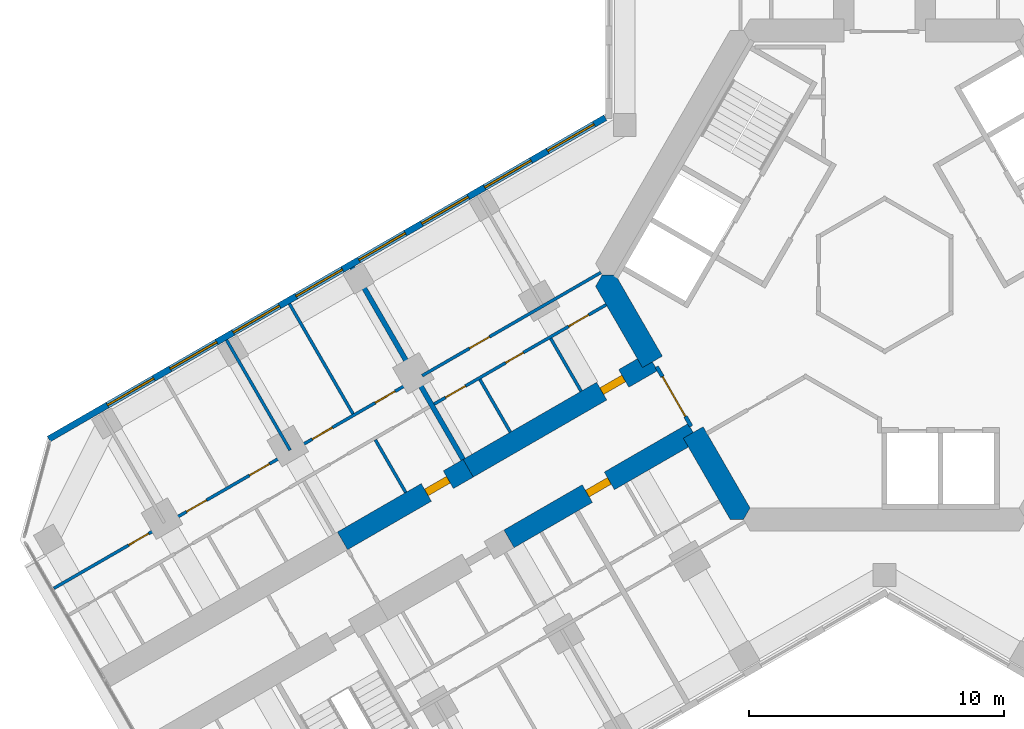
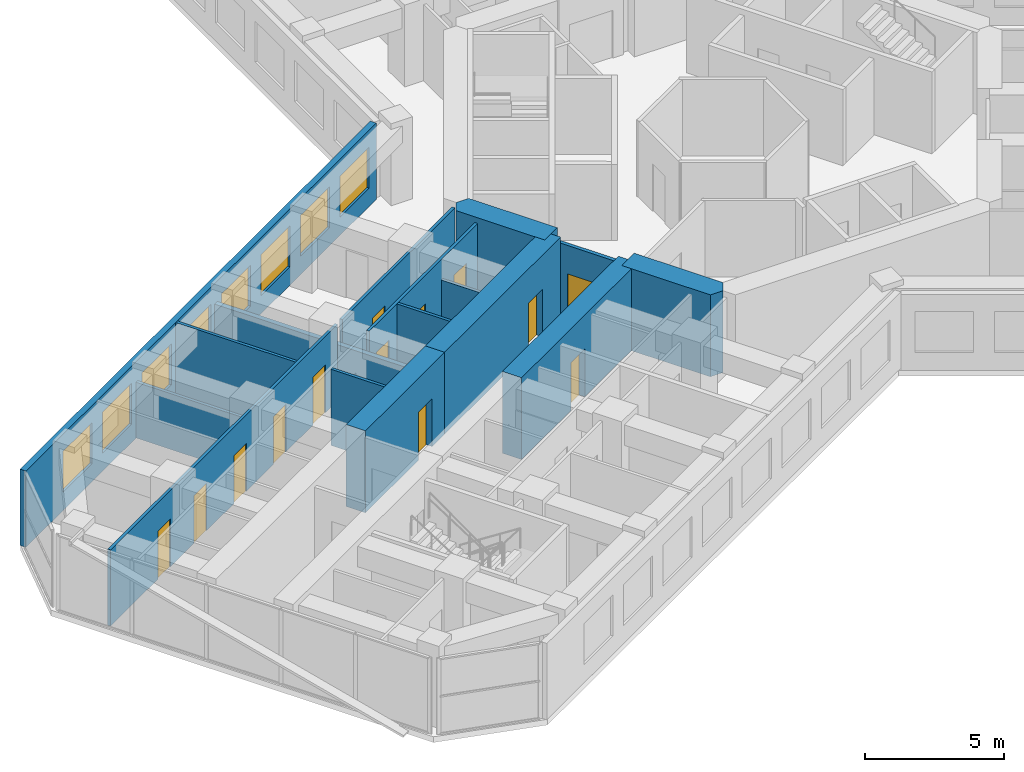
# One storey, part 12 of 19: 16 walls, 13 doors, 8 windows, 21 openings.
"""IFC4 building model written with IfcOpenShell, lengths in metres."""

from ifc_helpers import new_model, si_unit, direction, frame, frame_2d, origin, place, context, subcontext, project, spatial, polyline, rectangle, outline, extrude, material, layer, layer_set, type_object, element, fill, save


model = new_model("IFC4")

# Units and contexts
model_context = context("Model", 3, precision=1e-05, world=origin(), true_north=direction((0.0, 1.0)))
body_context = subcontext(model_context, "Body", "Model", "MODEL_VIEW")
ifc_project = project(units=[si_unit("LENGTHUNIT", "METRE"), si_unit("AREAUNIT", "SQUARE_METRE"), si_unit("VOLUMEUNIT", "CUBIC_METRE"), si_unit("PLANEANGLEUNIT", "RADIAN"), si_unit("MASSUNIT", "GRAM", prefix="KILO")], contexts=[model_context])

# Site, building, storey
site_placement = place(None, origin())
site = spatial("IfcSite", under=ifc_project, at=site_placement, CompositionType="ELEMENT")
building_placement = place(site_placement, origin())
building = spatial("IfcBuilding", under=site, at=building_placement, Name="Kosmar Iwan School Tower", CompositionType="ELEMENT")
storey_placement = place(building_placement, frame((0.0, 0.0, 141.800048828125)))
storey = spatial("IfcBuildingStorey", under=building, at=storey_placement, Name="L35", CompositionType="ELEMENT", Elevation=141.800048828125)

# Walls
ifc_material_1 = material(Name="Concrete C50/60", Category="concrete")
ifc_layer_1 = layer(ifc_material_1, 0.89990234375)
ifc_layer_set_1 = layer_set([ifc_layer_1], Name="Core wall 900")
wall_type_1 = type_object("IfcWallType", Name="Core wall 900", PredefinedType="SHEAR", material=ifc_layer_set_1)
wall_1_placement = place(storey_placement, origin())
element("IfcWall", 1, at=wall_1_placement, inside=storey, type_object=wall_type_1, Name="Core wall F210a", PredefinedType="SHEAR", context=body_context, shape_type="SweptSolid", body=[
    extrude(outline(polyline([(-9.503662109375, -3.639404296875), (-8.72412109375, -3.189453125), (-10.5654296875, 0.0), (-11.085205078125, 0.0), (-11.344970703125, -0.449951171875), (-9.503662109375, -3.639404296875)])), origin(), (0.0, 0.0, 1.0), 3.599853515625),
])
wall_2_placement = place(storey_placement, origin())
element("IfcWall", 2, at=wall_2_placement, inside=storey, type_object=wall_type_1, Name="Core wall F210b", PredefinedType="SHEAR", context=body_context, shape_type="SweptSolid", body=[
    extrude(outline(polyline([(-6.062255859375, -9.60009765625), (-5.54248046875, -9.60009765625), (-5.28271484375, -9.14990234375), (-7.1240234375, -5.960693359375), (-7.903564453125, -6.41064453125), (-6.062255859375, -9.60009765625)])), origin(), (0.0, 0.0, 1.0), 3.599853515625),
])

# Wall, opening, door
ifc_material_2 = material(Name="Concrete C50/60", Category="concrete")
ifc_layer_2 = layer(ifc_material_2, 0.800048828125)
ifc_layer_set_2 = layer_set([ifc_layer_2], Name="Corridor buttress wall 800")
wall_type_2 = type_object("IfcWallType", Name="Corridor buttress wall 800", PredefinedType="SHEAR", material=ifc_layer_set_2)
wall_3_placement = place(storey_placement, frame((-7.513916015625, -6.185546875, 0.0), z_axis=(0.0, 0.0, 1.0), x_axis=(-0.866019549707, -0.500010139422, 0.0)))
wall_3 = element("IfcWall", 3, at=wall_3_placement, inside=storey, type_object=wall_type_2, Name="Corridor wall BL", PredefinedType="SHEAR", context=body_context, shape_type="SweptSolid", body=[
    extrude(rectangle(XDim=8.349853515625, YDim=0.800048828125, at=frame_2d((4.1748046875, 0.0))), origin(), (0.0, 0.0, 1.0), 3.599853515625),
])
opening_1_placement = place(wall_3_placement, frame((3.800048828125, 0.0, 0.0)))
opening_1 = element("IfcOpeningElement", 4, at=opening_1_placement, cuts=wall_3, Name="Opening D1", PredefinedType="OPENING", context=body_context, shape_type="SweptSolid", body=[
    extrude(rectangle(XDim=1.0, YDim=2.10009765625, at=frame_2d((0.5, 1.050048828125))), frame((0.0, 0.412109375, 0.0), z_axis=(0.0, -1.0, 0.0), x_axis=(1.0, 0.0, 0.0)), (0.0, 0.0, 1.0), 0.823974609375),
])
ifc_material_3 = material(Name="Timber fire door in steel frame", Category="steel")
door_type_1 = type_object("IfcDoorType", Name="Flat entrance door 1000x2100", OperationType="SINGLE_SWING_LEFT", PredefinedType="DOOR", material=ifc_material_3)
door_1_placement = place(opening_1_placement, origin())
door_1 = element("IfcDoor", 5, at=door_1_placement, inside=storey, type_object=door_type_1, Name="Flat L35-BL1 entrance door", OperationType="SINGLE_SWING_LEFT", OverallHeight=2.10009765625, OverallWidth=1.0, PredefinedType="DOOR", context=body_context, shape_type="SweptSolid", body=[
    extrude(rectangle(XDim=1.0, YDim=2.10009765625, at=frame_2d((0.5, 1.050048828125))), frame((0.0, 0.14990234375, 0.0), z_axis=(0.0, -1.0, 0.0), x_axis=(1.0, 0.0, 0.0)), (0.0, 0.0, 1.0), 0.300048828125),
])
fill(opening_1, door_1)

wall_4_placement = place(storey_placement, frame((-9.11376953125, -3.414306640625, 0.0), z_axis=(0.0, 0.0, 1.0), x_axis=(-0.866026859388, -0.499997478812, 0.0)))
wall_4 = element("IfcWall", 6, at=wall_4_placement, inside=storey, type_object=wall_type_2, Name="Corridor wall BR", PredefinedType="SHEAR", context=body_context, shape_type="SweptSolid", body=[
    extrude(rectangle(XDim=8.35009765625, YDim=0.800048828125, at=frame_2d((4.175048828125, 0.0))), origin(), (0.0, 0.0, 1.0), 3.599853515625),
])
opening_2_placement = place(wall_4_placement, frame((1.300048828125, 0.0, 0.0)))
opening_2 = element("IfcOpeningElement", 7, at=opening_2_placement, cuts=wall_4, Name="Opening D1", PredefinedType="OPENING", context=body_context, shape_type="SweptSolid", body=[
    extrude(rectangle(XDim=1.0, YDim=2.10009765625, at=frame_2d((0.5, 1.050048828125))), frame((0.0, 0.412109375, 0.0), z_axis=(0.0, -1.0, 0.0), x_axis=(1.0, 0.0, 0.0)), (0.0, 0.0, 1.0), 0.823974609375),
])
door_2_placement = place(opening_2_placement, origin())
door_2 = element("IfcDoor", 8, at=door_2_placement, inside=storey, type_object=door_type_1, Name="Flat L35-BR1 entrance door", OperationType="SINGLE_SWING_LEFT", OverallHeight=2.10009765625, OverallWidth=1.0, PredefinedType="DOOR", context=body_context, shape_type="SweptSolid", body=[
    extrude(rectangle(XDim=1.0, YDim=2.10009765625, at=frame_2d((0.5, 1.050048828125))), frame((0.0, 0.14990234375, 0.0), z_axis=(0.0, -1.0, 0.0), x_axis=(1.0, 0.0, 0.0)), (0.0, 0.0, 1.0), 0.300048828125),
])
fill(opening_2, door_2)

wall_5_placement = place(storey_placement, frame((-16.34521484375, -7.58935546875, 0.0), z_axis=(0.0, 0.0, 1.0), x_axis=(-0.866015111908, -0.50001782563, 0.0)))
wall_5 = element("IfcWall", 9, at=wall_5_placement, inside=storey, type_object=wall_type_2, Name="Corridor wall BR bay 2", PredefinedType="SHEAR", context=body_context, shape_type="SweptSolid", body=[
    extrude(rectangle(XDim=5.699951171875, YDim=0.800048828125, at=frame_2d((2.85009765625, 0.0))), origin(), (0.0, 0.0, 1.0), 3.599853515625),
])
opening_3_placement = place(wall_5_placement, frame((0.89990234375, 0.0, 0.0)))
opening_3 = element("IfcOpeningElement", 10, at=opening_3_placement, cuts=wall_5, Name="Opening D1", PredefinedType="OPENING", context=body_context, shape_type="SweptSolid", body=[
    extrude(rectangle(XDim=1.0, YDim=2.10009765625, at=frame_2d((0.5, 1.050048828125))), frame((0.0, 0.412109375, 0.0), z_axis=(0.0, -1.0, 0.0), x_axis=(1.0, 0.0, 0.0)), (0.0, 0.0, 1.0), 0.823974609375),
])
door_3_placement = place(opening_3_placement, origin())
door_3 = element("IfcDoor", 11, at=door_3_placement, inside=storey, type_object=door_type_1, Name="Flat L35-BR2 entrance door", OperationType="SINGLE_SWING_LEFT", OverallHeight=2.10009765625, OverallWidth=1.0, PredefinedType="DOOR", context=body_context, shape_type="SweptSolid", body=[
    extrude(rectangle(XDim=1.0, YDim=2.10009765625, at=frame_2d((0.5, 1.050048828125))), frame((0.0, 0.14990234375, 0.0), z_axis=(0.0, -1.0, 0.0), x_axis=(1.0, 0.0, 0.0)), (0.0, 0.0, 1.0), 0.300048828125),
])
fill(opening_3, door_3)

ifc_material_4 = material(Name="Steel framed glazed screen", Category="steel")
ifc_layer_3 = layer(ifc_material_4, 0.14990234375)
ifc_layer_set_3 = layer_set([ifc_layer_3], Name="Corridor screen wall 150")
wall_type_3 = type_object("IfcWallType", Name="Corridor screen wall 150", PredefinedType="PARTITIONING", material=ifc_layer_set_3)
wall_6_placement = place(storey_placement, frame((-8.945556640625, -3.60595703125, 0.0), z_axis=(0.0, 0.0, 1.0), x_axis=(0.500048589285, -0.86599734893, 0.0)))
wall_6 = element("IfcWall", 12, at=wall_6_placement, inside=storey, type_object=wall_type_3, Name="Corridor screen B L35", PredefinedType="PARTITIONING", context=body_context, shape_type="SweptSolid", body=[
    extrude(rectangle(XDim=2.699951171875, YDim=0.14990234375, at=frame_2d((1.35009765625, 0.0))), origin(), (0.0, 0.0, 1.0), 3.349853515625),
])
opening_4_placement = place(wall_6_placement, frame((0.449951171875, 0.0, 0.0)))
opening_4 = element("IfcOpeningElement", 13, at=opening_4_placement, cuts=wall_6, Name="Opening D9", PredefinedType="OPENING", context=body_context, shape_type="SweptSolid", body=[
    extrude(rectangle(XDim=1.800048828125, YDim=2.10009765625, at=frame_2d((0.89990234375, 1.050048828125))), frame((0.0, 0.0869140625, 0.0), z_axis=(0.0, -1.0, 0.0), x_axis=(1.0, 0.0, 0.0)), (0.0, 0.0, 1.0), 0.173828125),
])
ifc_material_5 = material(Name="Steel framed glazed smoke door", Category="steel")
door_type_2 = type_object("IfcDoorType", Name="Corridor smoke door pair 1800x2100", OperationType="DOUBLE_DOOR_DOUBLE_SWING", PredefinedType="DOOR", material=ifc_material_5)
door_4_placement = place(opening_4_placement, origin())
door_4 = element("IfcDoor", 14, at=door_4_placement, inside=storey, type_object=door_type_2, Name="Corridor doors B L35", OperationType="DOUBLE_DOOR_DOUBLE_SWING", OverallHeight=2.10009765625, OverallWidth=1.800048828125, PredefinedType="DOOR", context=body_context, shape_type="SweptSolid", body=[
    extrude(rectangle(XDim=1.800048828125, YDim=2.10009765625, at=frame_2d((0.89990234375, 1.050048828125))), frame((0.0, 0.02490234375, 0.0), z_axis=(0.0, -1.0, 0.0), x_axis=(1.0, 0.0, 0.0)), (0.0, 0.0, 1.0), 0.050048828125),
])
fill(opening_4, door_4)

# Wall, openings, doors
ifc_material_6 = material(Name="Gypsum board on steel studs", Category="steel")
ifc_layer_4 = layer(ifc_material_6, 0.1201171875)
ifc_layer_set_4 = layer_set([ifc_layer_4], Name="Dwelling partition 120")
wall_type_4 = type_object("IfcWallType", Name="Dwelling partition 120", PredefinedType="PARTITIONING", material=ifc_layer_set_4)
wall_7_placement = place(storey_placement, frame((-10.928466796875, -1.171142578125, 0.0), z_axis=(0.0, 0.0, 1.0), x_axis=(-0.866021400173, -0.500006934395, 0.0)))
wall_7 = element("IfcWall", 15, at=wall_7_placement, inside=storey, type_object=wall_type_4, Name="Partition L35-BR1-W1", PredefinedType="PARTITIONING", context=body_context, shape_type="SweptSolid", body=[
    extrude(rectangle(XDim=7.80029296875, YDim=0.1201171875, at=frame_2d((3.900146484375, 0.0))), origin(), (0.0, 0.0, 1.0), 3.349853515625),
])
opening_5_placement = place(wall_7_placement, frame((0.800048828125, 0.0, 0.0)))
opening_5 = element("IfcOpeningElement", 16, at=opening_5_placement, cuts=wall_7, Name="Opening D2", PredefinedType="OPENING", context=body_context, shape_type="SweptSolid", body=[
    extrude(rectangle(XDim=0.89990234375, YDim=2.10009765625, at=frame_2d((0.449951171875, 1.050048828125))), frame((0.0, 0.072021484375, 0.0), z_axis=(0.0, -1.0, 0.0), x_axis=(1.0, 0.0, 0.0)), (0.0, 0.0, 1.0), 0.14404296875),
])
opening_6_placement = place(wall_7_placement, frame((3.755126953125, 0.0, 0.0)))
opening_6 = element("IfcOpeningElement", 17, at=opening_6_placement, cuts=wall_7, Name="Opening D3", PredefinedType="OPENING", context=body_context, shape_type="SweptSolid", body=[
    extrude(rectangle(XDim=0.800048828125, YDim=2.10009765625, at=frame_2d((0.39990234375, 1.050048828125))), frame((0.0, 0.072021484375, 0.0), z_axis=(0.0, -1.0, 0.0), x_axis=(1.0, 0.0, 0.0)), (0.0, 0.0, 1.0), 0.14404296875),
])
opening_7_placement = place(wall_7_placement, frame((6.380126953125, 0.0, 0.0)))
opening_7 = element("IfcOpeningElement", 18, at=opening_7_placement, cuts=wall_7, Name="Opening D2", PredefinedType="OPENING", context=body_context, shape_type="SweptSolid", body=[
    extrude(rectangle(XDim=0.89990234375, YDim=2.10009765625, at=frame_2d((0.449951171875, 1.050048828125))), frame((0.0, 0.072021484375, 0.0), z_axis=(0.0, -1.0, 0.0), x_axis=(1.0, 0.0, 0.0)), (0.0, 0.0, 1.0), 0.14404296875),
])
ifc_material_7 = material(Name="Timber door in timber frame", Category="wood")
door_type_3 = type_object("IfcDoorType", Name="Internal door 900x2100", OperationType="SINGLE_SWING_LEFT", PredefinedType="DOOR", material=ifc_material_7)
door_5_placement = place(opening_5_placement, origin())
door_5 = element("IfcDoor", 19, at=door_5_placement, inside=storey, type_object=door_type_3, Name="Entrance hall door L35-BR1-S1", OperationType="SINGLE_SWING_LEFT", OverallHeight=2.10009765625, OverallWidth=0.89990234375, PredefinedType="DOOR", context=body_context, shape_type="SweptSolid", body=[
    extrude(rectangle(XDim=0.89990234375, YDim=2.10009765625, at=frame_2d((0.449951171875, 1.050048828125))), frame((0.0, 0.02490234375, 0.0), z_axis=(0.0, -1.0, 0.0), x_axis=(1.0, 0.0, 0.0)), (0.0, 0.0, 1.0), 0.050048828125),
])
fill(opening_5, door_5)
door_6_placement = place(opening_7_placement, origin())
door_6 = element("IfcDoor", 20, at=door_6_placement, inside=storey, type_object=door_type_3, Name="Pantry door L35-BR1-S3", OperationType="SINGLE_SWING_RIGHT", OverallHeight=2.10009765625, OverallWidth=0.89990234375, PredefinedType="DOOR", context=body_context, shape_type="SweptSolid", body=[
    extrude(rectangle(XDim=0.89990234375, YDim=2.10009765625, at=frame_2d((0.449951171875, 1.050048828125))), frame((0.0, 0.02490234375, 0.0), z_axis=(0.0, -1.0, 0.0), x_axis=(1.0, 0.0, 0.0)), (0.0, 0.0, 1.0), 0.050048828125),
])
fill(opening_7, door_6)
ifc_material_8 = material(Name="Timber door in timber frame", Category="wood")
door_type_4 = type_object("IfcDoorType", Name="Sanitary room door 800x2100", OperationType="SINGLE_SWING_LEFT", PredefinedType="DOOR", material=ifc_material_8)
door_7_placement = place(opening_6_placement, origin())
door_7 = element("IfcDoor", 21, at=door_7_placement, inside=storey, type_object=door_type_4, Name="Bathroom door L35-BR1-S2", OperationType="SINGLE_SWING_RIGHT", OverallHeight=2.10009765625, OverallWidth=0.800048828125, PredefinedType="DOOR", context=body_context, shape_type="SweptSolid", body=[
    extrude(rectangle(XDim=0.800048828125, YDim=2.10009765625, at=frame_2d((0.39990234375, 1.050048828125))), frame((0.0, 0.02490234375, 0.0), z_axis=(0.0, -1.0, 0.0), x_axis=(1.0, 0.0, 0.0)), (0.0, 0.0, 1.0), 0.050048828125),
])
fill(opening_6, door_7)

# Wall, opening, door
wall_8_placement = place(storey_placement, frame((-11.138916015625, 0.093017578125, 0.0), z_axis=(0.0, 0.0, 1.0), x_axis=(-0.866017937352, -0.500012932018, 0.0)))
wall_8 = element("IfcWall", 22, at=wall_8_placement, inside=storey, type_object=wall_type_4, Name="Partition L35-BR1-W2", PredefinedType="PARTITIONING", context=body_context, shape_type="SweptSolid", body=[
    extrude(rectangle(XDim=8.099853515625, YDim=0.1201171875, at=frame_2d((4.0498046875, 0.0))), origin(), (0.0, 0.0, 1.0), 3.349853515625),
])
opening_8_placement = place(wall_8_placement, frame((5.050048828125, 0.0, 0.0)))
opening_8 = element("IfcOpeningElement", 23, at=opening_8_placement, cuts=wall_8, Name="Opening D2", PredefinedType="OPENING", context=body_context, shape_type="SweptSolid", body=[
    extrude(rectangle(XDim=0.89990234375, YDim=2.10009765625, at=frame_2d((0.449951171875, 1.050048828125))), frame((0.0, 0.072021484375, 0.0), z_axis=(0.0, -1.0, 0.0), x_axis=(1.0, 0.0, 0.0)), (0.0, 0.0, 1.0), 0.14404296875),
])
door_8_placement = place(opening_8_placement, origin())
door_8 = element("IfcDoor", 24, at=door_8_placement, inside=storey, type_object=door_type_3, Name="Studio living room door L35-BR1-F2", OperationType="SINGLE_SWING_RIGHT", OverallHeight=2.10009765625, OverallWidth=0.89990234375, PredefinedType="DOOR", context=body_context, shape_type="SweptSolid", body=[
    extrude(rectangle(XDim=0.89990234375, YDim=2.10009765625, at=frame_2d((0.449951171875, 1.050048828125))), frame((0.0, 0.02490234375, 0.0), z_axis=(0.0, -1.0, 0.0), x_axis=(1.0, 0.0, 0.0)), (0.0, 0.0, 1.0), 0.050048828125),
])
fill(opening_8, door_8)

# Walls
wall_9_placement = place(storey_placement, frame((-11.911865234375, -4.56787109375, 0.0), z_axis=(0.0, 0.0, 1.0), x_axis=(-0.500017192868, 0.86601547725, 0.0)))
element("IfcWall", 25, at=wall_9_placement, inside=storey, type_object=wall_type_4, Name="Partition L35-BR1-Y1", PredefinedType="PARTITIONING", context=body_context, shape_type="SweptSolid", body=[
    extrude(rectangle(XDim=2.39013671875, YDim=0.1201171875, at=frame_2d((1.195068359375, 0.0))), origin(), (0.0, 0.0, 1.0), 2.449951171875),
])
wall_10_placement = place(storey_placement, frame((-14.69189453125, -6.1728515625, 0.0), z_axis=(0.0, 0.0, 1.0), x_axis=(-0.500017192868, 0.86601547725, 0.0)))
element("IfcWall", 26, at=wall_10_placement, inside=storey, type_object=wall_type_4, Name="Partition L35-BR1-Y2", PredefinedType="PARTITIONING", context=body_context, shape_type="SweptSolid", body=[
    extrude(rectangle(XDim=2.39013671875, YDim=0.1201171875, at=frame_2d((1.195068359375, 0.0))), origin(), (0.0, 0.0, 1.0), 3.349853515625),
])

# Wall, openings, doors
wall_11_placement = place(storey_placement, frame((-18.456787109375, -4.1318359375, 0.0), z_axis=(0.0, 0.0, 1.0), x_axis=(-0.866023907196, -0.500002592159, 0.0)))
wall_11 = element("IfcWall", 27, at=wall_11_placement, inside=storey, type_object=wall_type_4, Name="Partition L35-BR2-W2", PredefinedType="PARTITIONING", context=body_context, shape_type="SweptSolid", body=[
    extrude(rectangle(XDim=16.34521484375, YDim=0.1201171875, at=frame_2d((8.172607421875, 0.0))), origin(), (0.0, 0.0, 1.0), 3.349853515625),
])
opening_9_placement = place(wall_11_placement, frame((0.875, 0.0, 0.0)))
opening_9 = element("IfcOpeningElement", 28, at=opening_9_placement, cuts=wall_11, Name="Opening D2", PredefinedType="OPENING", context=body_context, shape_type="SweptSolid", body=[
    extrude(rectangle(XDim=0.89990234375, YDim=2.10009765625, at=frame_2d((0.449951171875, 1.050048828125))), frame((0.0, 0.072021484375, 0.0), z_axis=(0.0, -1.0, 0.0), x_axis=(1.0, 0.0, 0.0)), (0.0, 0.0, 1.0), 0.14404296875),
])
opening_10_placement = place(wall_11_placement, frame((3.72509765625, 0.0, 0.0)))
opening_10 = element("IfcOpeningElement", 29, at=opening_10_placement, cuts=wall_11, Name="Opening D2", PredefinedType="OPENING", context=body_context, shape_type="SweptSolid", body=[
    extrude(rectangle(XDim=0.89990234375, YDim=2.10009765625, at=frame_2d((0.449951171875, 1.050048828125))), frame((0.0, 0.072021484375, 0.0), z_axis=(0.0, -1.0, 0.0), x_axis=(1.0, 0.0, 0.0)), (0.0, 0.0, 1.0), 0.14404296875),
])
opening_11_placement = place(wall_11_placement, frame((6.574951171875, 0.0, 0.0)))
opening_11 = element("IfcOpeningElement", 30, at=opening_11_placement, cuts=wall_11, Name="Opening D2", PredefinedType="OPENING", context=body_context, shape_type="SweptSolid", body=[
    extrude(rectangle(XDim=0.89990234375, YDim=2.10009765625, at=frame_2d((0.449951171875, 1.050048828125))), frame((0.0, 0.072021484375, 0.0), z_axis=(0.0, -1.0, 0.0), x_axis=(1.0, 0.0, 0.0)), (0.0, 0.0, 1.0), 0.14404296875),
])
opening_12_placement = place(wall_11_placement, frame((9.425048828125, 0.0, 0.0)))
opening_12 = element("IfcOpeningElement", 31, at=opening_12_placement, cuts=wall_11, Name="Opening D2", PredefinedType="OPENING", context=body_context, shape_type="SweptSolid", body=[
    extrude(rectangle(XDim=0.89990234375, YDim=2.10009765625, at=frame_2d((0.449951171875, 1.050048828125))), frame((0.0, 0.072021484375, 0.0), z_axis=(0.0, -1.0, 0.0), x_axis=(1.0, 0.0, 0.0)), (0.0, 0.0, 1.0), 0.14404296875),
])
opening_13_placement = place(wall_11_placement, frame((12.050048828125, 0.0, 0.0)))
opening_13 = element("IfcOpeningElement", 32, at=opening_13_placement, cuts=wall_11, Name="Opening D2", PredefinedType="OPENING", context=body_context, shape_type="SweptSolid", body=[
    extrude(rectangle(XDim=0.89990234375, YDim=2.10009765625, at=frame_2d((0.449951171875, 1.050048828125))), frame((0.0, 0.072021484375, 0.0), z_axis=(0.0, -1.0, 0.0), x_axis=(1.0, 0.0, 0.0)), (0.0, 0.0, 1.0), 0.14404296875),
])
door_9_placement = place(opening_9_placement, origin())
door_9 = element("IfcDoor", 33, at=door_9_placement, inside=storey, type_object=door_type_3, Name="Kitchen and dining room door L35-BR2-F1", OperationType="SINGLE_SWING_LEFT", OverallHeight=2.10009765625, OverallWidth=0.89990234375, PredefinedType="DOOR", context=body_context, shape_type="SweptSolid", body=[
    extrude(rectangle(XDim=0.89990234375, YDim=2.10009765625, at=frame_2d((0.449951171875, 1.050048828125))), frame((0.0, 0.02490234375, 0.0), z_axis=(0.0, -1.0, 0.0), x_axis=(1.0, 0.0, 0.0)), (0.0, 0.0, 1.0), 0.050048828125),
])
fill(opening_9, door_9)
door_10_placement = place(opening_10_placement, origin())
door_10 = element("IfcDoor", 34, at=door_10_placement, inside=storey, type_object=door_type_3, Name="Guest reception room door L35-BR2-F2", OperationType="SINGLE_SWING_LEFT", OverallHeight=2.10009765625, OverallWidth=0.89990234375, PredefinedType="DOOR", context=body_context, shape_type="SweptSolid", body=[
    extrude(rectangle(XDim=0.89990234375, YDim=2.10009765625, at=frame_2d((0.449951171875, 1.050048828125))), frame((0.0, 0.02490234375, 0.0), z_axis=(0.0, -1.0, 0.0), x_axis=(1.0, 0.0, 0.0)), (0.0, 0.0, 1.0), 0.050048828125),
])
fill(opening_10, door_10)
door_11_placement = place(opening_11_placement, origin())
door_11 = element("IfcDoor", 35, at=door_11_placement, inside=storey, type_object=door_type_3, Name="Dining room door L35-BR2-F3", OperationType="SINGLE_SWING_LEFT", OverallHeight=2.10009765625, OverallWidth=0.89990234375, PredefinedType="DOOR", context=body_context, shape_type="SweptSolid", body=[
    extrude(rectangle(XDim=0.89990234375, YDim=2.10009765625, at=frame_2d((0.449951171875, 1.050048828125))), frame((0.0, 0.02490234375, 0.0), z_axis=(0.0, -1.0, 0.0), x_axis=(1.0, 0.0, 0.0)), (0.0, 0.0, 1.0), 0.050048828125),
])
fill(opening_11, door_11)
door_12_placement = place(opening_12_placement, origin())
door_12 = element("IfcDoor", 36, at=door_12_placement, inside=storey, type_object=door_type_3, Name="Bedroom 1 door L35-BR2-F4", OperationType="SINGLE_SWING_RIGHT", OverallHeight=2.10009765625, OverallWidth=0.89990234375, PredefinedType="DOOR", context=body_context, shape_type="SweptSolid", body=[
    extrude(rectangle(XDim=0.89990234375, YDim=2.10009765625, at=frame_2d((0.449951171875, 1.050048828125))), frame((0.0, 0.02490234375, 0.0), z_axis=(0.0, -1.0, 0.0), x_axis=(1.0, 0.0, 0.0)), (0.0, 0.0, 1.0), 0.050048828125),
])
fill(opening_12, door_12)
door_13_placement = place(opening_13_placement, origin())
door_13 = element("IfcDoor", 37, at=door_13_placement, inside=storey, type_object=door_type_3, Name="Living room door L35-BR2-F5", OperationType="SINGLE_SWING_RIGHT", OverallHeight=2.10009765625, OverallWidth=0.89990234375, PredefinedType="DOOR", context=body_context, shape_type="SweptSolid", body=[
    extrude(rectangle(XDim=0.89990234375, YDim=2.10009765625, at=frame_2d((0.449951171875, 1.050048828125))), frame((0.0, 0.02490234375, 0.0), z_axis=(0.0, -1.0, 0.0), x_axis=(1.0, 0.0, 0.0)), (0.0, 0.0, 1.0), 0.050048828125),
])
fill(opening_13, door_13)

# Walls
wall_12_placement = place(storey_placement, frame((-20.868408203125, -5.455078125, 0.0), z_axis=(0.0, 0.0, 1.0), x_axis=(-0.499975153383, 0.86603974851, 0.0)))
element("IfcWall", 38, at=wall_12_placement, inside=storey, type_object=wall_type_4, Name="Partition L35-BR2-X1", PredefinedType="PARTITIONING", context=body_context, shape_type="SweptSolid", body=[
    extrude(rectangle(XDim=4.989990234375, YDim=0.1201171875, at=frame_2d((2.4951171875, 0.0))), origin(), (0.0, 0.0, 1.0), 3.349853515625),
])
wall_13_placement = place(storey_placement, frame((-23.33642578125, -6.8798828125, 0.0), z_axis=(0.0, 0.0, 1.0), x_axis=(-0.500033033937, 0.866006330792, 0.0)))
element("IfcWall", 39, at=wall_13_placement, inside=storey, type_object=wall_type_4, Name="Partition L35-BR2-X2", PredefinedType="PARTITIONING", context=body_context, shape_type="SweptSolid", body=[
    extrude(rectangle(XDim=4.989990234375, YDim=0.1201171875, at=frame_2d((2.4951171875, 0.0))), origin(), (0.0, 0.0, 1.0), 2.449951171875),
])
wall_14_placement = place(storey_placement, frame((-18.796875, -8.54296875, 0.0), z_axis=(0.0, 0.0, 1.0), x_axis=(-0.500017192868, 0.86601547725, 0.0)))
element("IfcWall", 40, at=wall_14_placement, inside=storey, type_object=wall_type_4, Name="Partition L35-BR2-Y1", PredefinedType="PARTITIONING", context=body_context, shape_type="SweptSolid", body=[
    extrude(rectangle(XDim=2.39013671875, YDim=0.1201171875, at=frame_2d((1.195068359375, 0.0))), origin(), (0.0, 0.0, 1.0), 3.349853515625),
])

# Wall, openings, windows
ifc_material_9 = material(Name="Black aluminium rainscreen on insulated framing", Category="aluminium")
ifc_layer_5 = layer(ifc_material_9, 0.25)
ifc_layer_set_5 = layer_set([ifc_layer_5], Name="External wall rainscreen 250")
wall_type_5 = type_object("IfcWallType", Name="External wall rainscreen 250", PredefinedType="SOLIDWALL", material=ifc_layer_set_5)
wall_15_placement = place(storey_placement, frame((-10.962890625, 6.170166015625, 0.0), z_axis=(0.0, 0.0, 1.0), x_axis=(-0.86602796634, -0.499995561497, 0.0)))
wall_15 = element("IfcWall", 41, at=wall_15_placement, inside=storey, type_object=wall_type_5, Name="External wall BR L35", PredefinedType="SOLIDWALL", context=body_context, shape_type="SweptSolid", body=[
    extrude(rectangle(XDim=25.226318359375, YDim=0.25, at=frame_2d((12.61328125, 0.0))), origin(), (0.0, 0.0, 1.0), 3.349853515625),
])
opening_14_placement = place(wall_15_placement, frame((0.51611328125, 0.0, 0.800048828125)))
opening_14 = element("IfcOpeningElement", 42, at=opening_14_placement, cuts=wall_15, Name="Opening W4", PredefinedType="OPENING", context=body_context, shape_type="SweptSolid", body=[
    extrude(rectangle(XDim=2.10009765625, YDim=1.800048828125, at=frame_2d((1.050048828125, 0.89990234375))), frame((0.0, 0.136962890625, 0.0), z_axis=(0.0, -1.0, 0.0), x_axis=(1.0, 0.0, 0.0)), (0.0, 0.0, 1.0), 0.27392578125),
])
opening_15_placement = place(wall_15_placement, frame((3.365966796875, 0.0, 0.800048828125)))
opening_15 = element("IfcOpeningElement", 43, at=opening_15_placement, cuts=wall_15, Name="Opening W4", PredefinedType="OPENING", context=body_context, shape_type="SweptSolid", body=[
    extrude(rectangle(XDim=2.10009765625, YDim=1.800048828125, at=frame_2d((1.050048828125, 0.89990234375))), frame((0.0, 0.136962890625, 0.0), z_axis=(0.0, -1.0, 0.0), x_axis=(1.0, 0.0, 0.0)), (0.0, 0.0, 1.0), 0.27392578125),
])
opening_16_placement = place(wall_15_placement, frame((6.216064453125, 0.0, 0.800048828125)))
opening_16 = element("IfcOpeningElement", 44, at=opening_16_placement, cuts=wall_15, Name="Opening W4", PredefinedType="OPENING", context=body_context, shape_type="SweptSolid", body=[
    extrude(rectangle(XDim=2.10009765625, YDim=1.800048828125, at=frame_2d((1.050048828125, 0.89990234375))), frame((0.0, 0.136962890625, 0.0), z_axis=(0.0, -1.0, 0.0), x_axis=(1.0, 0.0, 0.0)), (0.0, 0.0, 1.0), 0.27392578125),
])
opening_17_placement = place(wall_15_placement, frame((9.06591796875, 0.0, 0.800048828125)))
opening_17 = element("IfcOpeningElement", 45, at=opening_17_placement, cuts=wall_15, Name="Opening W4", PredefinedType="OPENING", context=body_context, shape_type="SweptSolid", body=[
    extrude(rectangle(XDim=2.10009765625, YDim=1.800048828125, at=frame_2d((1.050048828125, 0.89990234375))), frame((0.0, 0.136962890625, 0.0), z_axis=(0.0, -1.0, 0.0), x_axis=(1.0, 0.0, 0.0)), (0.0, 0.0, 1.0), 0.27392578125),
])
opening_18_placement = place(wall_15_placement, frame((11.916015625, 0.0, 0.800048828125)))
opening_18 = element("IfcOpeningElement", 46, at=opening_18_placement, cuts=wall_15, Name="Opening W4", PredefinedType="OPENING", context=body_context, shape_type="SweptSolid", body=[
    extrude(rectangle(XDim=2.10009765625, YDim=1.800048828125, at=frame_2d((1.050048828125, 0.89990234375))), frame((0.0, 0.136962890625, 0.0), z_axis=(0.0, -1.0, 0.0), x_axis=(1.0, 0.0, 0.0)), (0.0, 0.0, 1.0), 0.27392578125),
])
opening_19_placement = place(wall_15_placement, frame((14.76611328125, 0.0, 0.800048828125)))
opening_19 = element("IfcOpeningElement", 47, at=opening_19_placement, cuts=wall_15, Name="Opening W4", PredefinedType="OPENING", context=body_context, shape_type="SweptSolid", body=[
    extrude(rectangle(XDim=2.10009765625, YDim=1.800048828125, at=frame_2d((1.050048828125, 0.89990234375))), frame((0.0, 0.136962890625, 0.0), z_axis=(0.0, -1.0, 0.0), x_axis=(1.0, 0.0, 0.0)), (0.0, 0.0, 1.0), 0.27392578125),
])
opening_20_placement = place(wall_15_placement, frame((17.615966796875, 0.0, 0.800048828125)))
opening_20 = element("IfcOpeningElement", 48, at=opening_20_placement, cuts=wall_15, Name="Opening W4", PredefinedType="OPENING", context=body_context, shape_type="SweptSolid", body=[
    extrude(rectangle(XDim=2.10009765625, YDim=1.800048828125, at=frame_2d((1.050048828125, 0.89990234375))), frame((0.0, 0.136962890625, 0.0), z_axis=(0.0, -1.0, 0.0), x_axis=(1.0, 0.0, 0.0)), (0.0, 0.0, 1.0), 0.27392578125),
])
opening_21_placement = place(wall_15_placement, frame((20.466064453125, 0.0, 0.800048828125)))
opening_21 = element("IfcOpeningElement", 49, at=opening_21_placement, cuts=wall_15, Name="Opening W4", PredefinedType="OPENING", context=body_context, shape_type="SweptSolid", body=[
    extrude(rectangle(XDim=2.10009765625, YDim=1.800048828125, at=frame_2d((1.050048828125, 0.89990234375))), frame((0.0, 0.136962890625, 0.0), z_axis=(0.0, -1.0, 0.0), x_axis=(1.0, 0.0, 0.0)), (0.0, 0.0, 1.0), 0.27392578125),
])
ifc_material_10 = material(Name="Black aluminium frame with dark triple glazing", Category="aluminium")
window_type = type_object("IfcWindowType", Name="Window 2100x1800", PartitioningType="SINGLE_PANEL", PredefinedType="WINDOW", material=ifc_material_10)
window_1_placement = place(opening_14_placement, origin())
window_1 = element("IfcWindow", 50, at=window_1_placement, inside=storey, type_object=window_type, Name="Window BR L35 -1", OverallHeight=1.800048828125, OverallWidth=2.10009765625, PartitioningType="SINGLE_PANEL", PredefinedType="WINDOW", context=body_context, shape_type="SweptSolid", body=[
    extrude(rectangle(XDim=2.10009765625, YDim=1.800048828125, at=frame_2d((1.050048828125, 0.89990234375))), frame((0.0, 0.030029296875, 0.0), z_axis=(0.0, -1.0, 0.0), x_axis=(1.0, 0.0, 0.0)), (0.0, 0.0, 1.0), 0.06005859375),
])
fill(opening_14, window_1)
window_2_placement = place(opening_15_placement, origin())
window_2 = element("IfcWindow", 51, at=window_2_placement, inside=storey, type_object=window_type, Name="Window BR L35 0", OverallHeight=1.800048828125, OverallWidth=2.10009765625, PartitioningType="SINGLE_PANEL", PredefinedType="WINDOW", context=body_context, shape_type="SweptSolid", body=[
    extrude(rectangle(XDim=2.10009765625, YDim=1.800048828125, at=frame_2d((1.050048828125, 0.89990234375))), frame((0.0, 0.030029296875, 0.0), z_axis=(0.0, -1.0, 0.0), x_axis=(1.0, 0.0, 0.0)), (0.0, 0.0, 1.0), 0.06005859375),
])
fill(opening_15, window_2)
window_3_placement = place(opening_16_placement, origin())
window_3 = element("IfcWindow", 52, at=window_3_placement, inside=storey, type_object=window_type, Name="Window BR L35 1", OverallHeight=1.800048828125, OverallWidth=2.10009765625, PartitioningType="SINGLE_PANEL", PredefinedType="WINDOW", context=body_context, shape_type="SweptSolid", body=[
    extrude(rectangle(XDim=2.10009765625, YDim=1.800048828125, at=frame_2d((1.050048828125, 0.89990234375))), frame((0.0, 0.030029296875, 0.0), z_axis=(0.0, -1.0, 0.0), x_axis=(1.0, 0.0, 0.0)), (0.0, 0.0, 1.0), 0.06005859375),
])
fill(opening_16, window_3)
window_4_placement = place(opening_17_placement, origin())
window_4 = element("IfcWindow", 53, at=window_4_placement, inside=storey, type_object=window_type, Name="Window BR L35 2", OverallHeight=1.800048828125, OverallWidth=2.10009765625, PartitioningType="SINGLE_PANEL", PredefinedType="WINDOW", context=body_context, shape_type="SweptSolid", body=[
    extrude(rectangle(XDim=2.10009765625, YDim=1.800048828125, at=frame_2d((1.050048828125, 0.89990234375))), frame((0.0, 0.030029296875, 0.0), z_axis=(0.0, -1.0, 0.0), x_axis=(1.0, 0.0, 0.0)), (0.0, 0.0, 1.0), 0.06005859375),
])
fill(opening_17, window_4)
window_5_placement = place(opening_18_placement, origin())
window_5 = element("IfcWindow", 54, at=window_5_placement, inside=storey, type_object=window_type, Name="Window BR L35 3", OverallHeight=1.800048828125, OverallWidth=2.10009765625, PartitioningType="SINGLE_PANEL", PredefinedType="WINDOW", context=body_context, shape_type="SweptSolid", body=[
    extrude(rectangle(XDim=2.10009765625, YDim=1.800048828125, at=frame_2d((1.050048828125, 0.89990234375))), frame((0.0, 0.030029296875, 0.0), z_axis=(0.0, -1.0, 0.0), x_axis=(1.0, 0.0, 0.0)), (0.0, 0.0, 1.0), 0.06005859375),
])
fill(opening_18, window_5)
window_6_placement = place(opening_19_placement, origin())
window_6 = element("IfcWindow", 55, at=window_6_placement, inside=storey, type_object=window_type, Name="Window BR L35 4", OverallHeight=1.800048828125, OverallWidth=2.10009765625, PartitioningType="SINGLE_PANEL", PredefinedType="WINDOW", context=body_context, shape_type="SweptSolid", body=[
    extrude(rectangle(XDim=2.10009765625, YDim=1.800048828125, at=frame_2d((1.050048828125, 0.89990234375))), frame((0.0, 0.030029296875, 0.0), z_axis=(0.0, -1.0, 0.0), x_axis=(1.0, 0.0, 0.0)), (0.0, 0.0, 1.0), 0.06005859375),
])
fill(opening_19, window_6)
window_7_placement = place(opening_20_placement, origin())
window_7 = element("IfcWindow", 56, at=window_7_placement, inside=storey, type_object=window_type, Name="Window BR L35 5", OverallHeight=1.800048828125, OverallWidth=2.10009765625, PartitioningType="SINGLE_PANEL", PredefinedType="WINDOW", context=body_context, shape_type="SweptSolid", body=[
    extrude(rectangle(XDim=2.10009765625, YDim=1.800048828125, at=frame_2d((1.050048828125, 0.89990234375))), frame((0.0, 0.030029296875, 0.0), z_axis=(0.0, -1.0, 0.0), x_axis=(1.0, 0.0, 0.0)), (0.0, 0.0, 1.0), 0.06005859375),
])
fill(opening_20, window_7)
window_8_placement = place(opening_21_placement, origin())
window_8 = element("IfcWindow", 57, at=window_8_placement, inside=storey, type_object=window_type, Name="Window BR L35 6", OverallHeight=1.800048828125, OverallWidth=2.10009765625, PartitioningType="SINGLE_PANEL", PredefinedType="WINDOW", context=body_context, shape_type="SweptSolid", body=[
    extrude(rectangle(XDim=2.10009765625, YDim=1.800048828125, at=frame_2d((1.050048828125, 0.89990234375))), frame((0.0, 0.030029296875, 0.0), z_axis=(0.0, -1.0, 0.0), x_axis=(1.0, 0.0, 0.0)), (0.0, 0.0, 1.0), 0.06005859375),
])
fill(opening_21, window_8)

# Wall
ifc_material_11 = material(Name="Concrete block masonry", Category="masonry")
ifc_layer_6 = layer(ifc_material_11, 0.199951171875)
ifc_layer_set_6 = layer_set([ifc_layer_6], Name="Party wall 200")
wall_type_6 = type_object("IfcWallType", Name="Party wall 200", PredefinedType="PARTITIONING", material=ifc_layer_set_6)
wall_16_placement = place(storey_placement, frame((-16.545166015625, -7.242919921875, 0.0), z_axis=(0.0, 0.0, 1.0), x_axis=(-0.500008278454, 0.866020624164, 0.0)))
element("IfcWall", 58, at=wall_16_placement, inside=storey, type_object=wall_type_6, Name="Partition L35-BR2-PW", PredefinedType="PARTITIONING", context=body_context, shape_type="SweptSolid", body=[
    extrude(rectangle(XDim=8.699951171875, YDim=0.199951171875, at=frame_2d((4.35009765625, 0.0))), origin(), (0.0, 0.0, 1.0), 2.449951171875),
])

save(model, "model.ifc")
